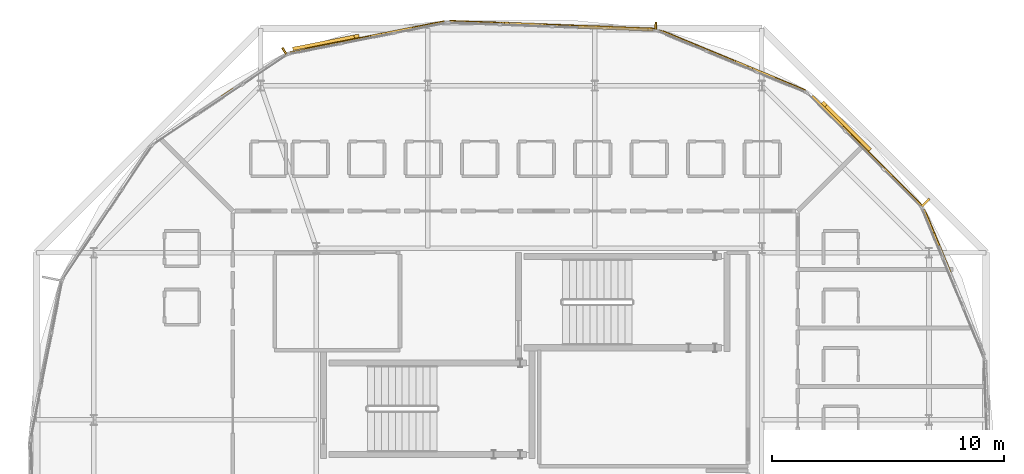
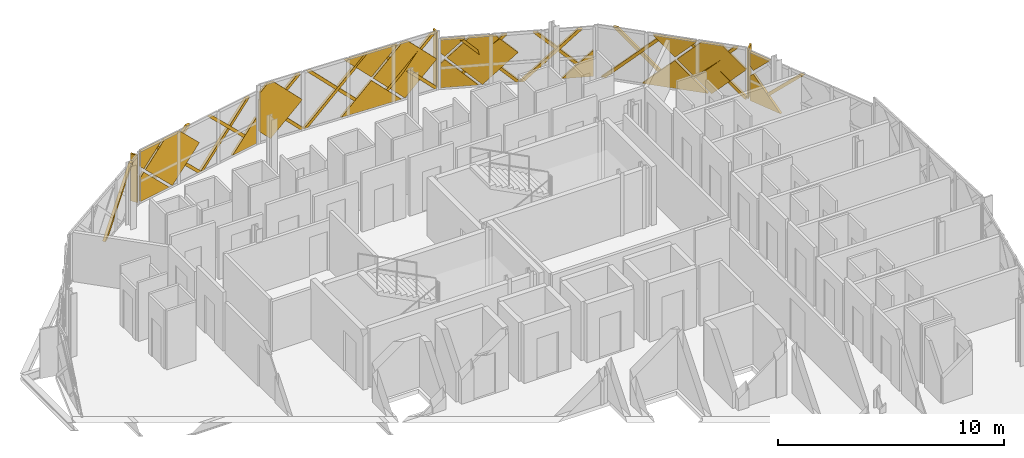
# One storey, part 24 of 24: 37 coverings, 3 shading devices.
"""IFC4 building model written with IfcOpenShell, lengths in metres."""

from ifc_helpers import new_model, si_unit, direction, frame, origin, origin_2d, place, context, subcontext, project, spatial, polyline, rectangle, outline, extrude, material, layer, layer_set, type_object, element, save


model = new_model("IFC4")

# Units and contexts
model_context = context("Model", 3, precision=1e-05, world=origin(), true_north=direction((0.0, 1.0)))
body_context = subcontext(model_context, "Body", "Model", "MODEL_VIEW")
ifc_project = project(units=[si_unit("LENGTHUNIT", "METRE"), si_unit("AREAUNIT", "SQUARE_METRE"), si_unit("VOLUMEUNIT", "CUBIC_METRE"), si_unit("PLANEANGLEUNIT", "RADIAN"), si_unit("MASSUNIT", "GRAM", prefix="KILO")], contexts=[model_context])

# Site, building, storey
site_placement = place(None, origin())
site = spatial("IfcSite", under=ifc_project, at=site_placement, CompositionType="ELEMENT")
building_placement = place(site_placement, origin())
building = spatial("IfcBuilding", under=site, at=building_placement, Name="Zevrakil Square Congress Hotel", CompositionType="ELEMENT")
storey_placement = place(building_placement, frame((0.0, 0.0, 31.699951171875)))
storey = spatial("IfcBuildingStorey", under=building, at=storey_placement, Name="L09", CompositionType="ELEMENT", Elevation=31.699951171875)

# Coverings
ifc_material_1 = material(Name="Architectural White Fibre-C GRC", Category="concrete")
ifc_layer_1 = layer(ifc_material_1, 0.06494140625)
ifc_layer_set_1 = layer_set([ifc_layer_1], Name="Architectural White Fibre-C GRC")
covering_type_1 = type_object("IfcCoveringType", Name="COV-DIA-WHITE", PredefinedType="CLADDING", material=ifc_layer_set_1)
covering_1_placement = place(storey_placement, frame((163.085205078125, 40.107421875, 1.590087890625), z_axis=(0.923914550265, 0.382598517584, 0.000527399499), x_axis=(-0.269933528089, 0.652822183014, -0.707784633754)))
element("IfcCovering", 1, at=covering_1_placement, inside=storey, type_object=covering_type_1, Name="L09 45-degree white GRC diamond facade cassette 2974", PredefinedType="CLADDING", context=body_context, shape_type="SweptSolid", body=[
    extrude(outline(polyline([(0.0, 0.0), (0.26249658249717267, 0.0), (1.1999452228271443, -0.9352784707125635), (0.0018748887831321337, -2.13564950196164), (0.0, 0.0)])), origin(), (0.0, 0.0, -1.0), 0.1201171875),
])
covering_2_placement = place(storey_placement, frame((163.085205078125, 40.107177734375, 1.77001953125), z_axis=(0.923909876479, 0.382609882436, 0.00046691299), x_axis=(0.270210589034, -0.653355905922, 0.707186183243)))
element("IfcCovering", 2, at=covering_2_placement, inside=storey, type_object=covering_type_1, Name="L09 45-degree white GRC diamond facade cassette 2976", PredefinedType="CLADDING", context=body_context, shape_type="SweptSolid", body=[
    extrude(outline(polyline([(0.0, 0.0), (1.279761072543764, -1.1102230246251565e-16), (0.5085591496174859, -0.7713752462851787), (-1.0255960199379022e-05, -0.26278807344881566), (0.0, 0.0)])), origin(), (0.0, 0.0, -1.0), 0.1201171875),
])
covering_3_placement = place(storey_placement, frame((160.57958984375, 42.777587890625, 1.590087890625), z_axis=(0.707106614827, 0.707106614827, 0.000685956296), x_axis=(-0.499688110054, 0.500374023726, -0.70706267689)))
element("IfcCovering", 3, at=covering_3_placement, inside=storey, type_object=covering_type_1, Name="L09 45-degree white GRC diamond facade cassette 2981", PredefinedType="CLADDING", context=body_context, shape_type="SweptSolid", body=[
    extrude(outline(polyline([(0.0, 0.0), (2.1356094940087047, 0.0), (-2.1239432958841675e-05, -2.1353653520635065), (0.0, 0.0)])), origin(), (0.0, 0.0, -1.0), 0.1201171875),
])
covering_4_placement = place(storey_placement, frame((160.643310546875, 42.714111328125, 1.679931640625), z_axis=(0.707127179859, 0.707086117562, 0.000611437355), x_axis=(0.500335685151, -0.499753340242, -0.707043705213)))
element("IfcCovering", 4, at=covering_4_placement, inside=storey, type_object=covering_type_1, Name="L09 45-degree white GRC diamond facade cassette 2982", PredefinedType="CLADDING", context=body_context, shape_type="SweptSolid", body=[
    extrude(outline(polyline([(0.0, 0.0), (2.248579118812823, 0.0), (2.2486813583199776, -2.2344716966835585), (2.2346992928604363, -2.2484562515085855), (0.7001314448411459, -2.248736907209545), (-4.192728643492849e-06, -1.5487260736455428), (0.0, 0.0)])), origin(), (0.0, 0.0, -1.0), 0.1201171875),
])
covering_5_placement = place(storey_placement, frame((160.57958984375, 42.777587890625, 1.77001953125), z_axis=(0.707106614315, 0.707106614315, 0.000687011527), x_axis=(0.499642803716, -0.500329834041, 0.707125961808)))
element("IfcCovering", 5, at=covering_5_placement, inside=storey, type_object=covering_type_1, Name="L09 45-degree white GRC diamond facade cassette 2983", PredefinedType="CLADDING", context=body_context, shape_type="SweptSolid", body=[
    extrude(outline(polyline([(0.0, 0.0), (1.4214256121425948, -1.1102230246251565e-16), (7.778572097882908e-05, -1.4214256100142322), (0.0, 0.0)])), origin(), (0.0, 0.0, -1.0), 0.1201171875),
])
covering_6_placement = place(storey_placement, frame((156.57666015625, 45.95458984375, 0.080078125), z_axis=(0.382708598301, 0.923868946577, 0.000546201807), x_axis=(0.923869084389, -0.382708655389, 0.0)))
element("IfcCovering", 6, at=covering_6_placement, inside=storey, type_object=covering_type_1, Name="L09 45-degree white GRC diamond facade cassette 2988", PredefinedType="CLADDING", context=body_context, shape_type="SweptSolid", body=[
    extrude(outline(polyline([(0.0, 0.0), (1.409821214264322, 0.0), (1.4098759644796002, -1.4099123196891088), (0.0, 0.0)])), origin(), (0.0, 0.0, -1.0), 0.1201171875),
])
covering_7_placement = place(storey_placement, frame((151.7626953125, 47.947509765625, 1.590087890625), z_axis=(0.382755461672, 0.923849441277, 0.000682943661), x_axis=(-0.652777584604, 0.270971988121, -0.707428870412)))
element("IfcCovering", 7, at=covering_7_placement, inside=storey, type_object=covering_type_1, Name="L09 45-degree white GRC diamond facade cassette 2989", PredefinedType="CLADDING", context=body_context, shape_type="SweptSolid", body=[
    extrude(outline(polyline([(0.0, 0.0), (0.26262867561201897, 0.0), (1.199458346386803, -0.9358985221832297), (0.000943379387218668, -2.135506779851168), (0.0, 0.0)])), origin(), (0.0, 0.0, -1.0), 0.1201171875),
])
covering_8_placement = place(storey_placement, frame((151.845947265625, 47.9130859375, 1.679931640625), z_axis=(0.382690025502, 0.923876636867, 0.000551571751), x_axis=(0.653449106463, -0.270250850946, -0.707084678681)))
element("IfcCovering", 8, at=covering_8_placement, inside=storey, type_object=covering_type_1, Name="L09 45-degree white GRC diamond facade cassette 2990", PredefinedType="CLADDING", context=body_context, shape_type="SweptSolid", body=[
    extrude(outline(polyline([(0.0, 0.0), (2.248448856999703, 0.0), (2.2487321872903157, -2.248592342128082), (0.8415013984675563, -2.2487136757156505), (-8.859482431022858e-05, -1.4071761516160894), (0.0, 0.0)])), origin(), (0.0, 0.0, -1.0), 0.1201171875),
])
covering_9_placement = place(storey_placement, frame((151.7626953125, 47.947509765625, 1.77001953125), z_axis=(0.382594056834, 0.923916333398, 0.000629726371), x_axis=(0.653150962114, -0.270951970044, 0.707091826158)))
element("IfcCovering", 9, at=covering_9_placement, inside=storey, type_object=covering_type_1, Name="L09 45-degree white GRC diamond facade cassette 2991", PredefinedType="CLADDING", context=body_context, shape_type="SweptSolid", body=[
    extrude(outline(polyline([(0.0, 0.0), (1.279931895331282, 1.1102230246251565e-16), (0.5085610358634081, -0.7713384187014669), (8.683643249124406e-05, -0.26265600796275457), (0.0, 0.0)])), origin(), (0.0, 0.0, -1.0), 0.1201171875),
])
covering_10_placement = place(storey_placement, frame((148.10888671875, 48.1923828125, 1.590087890625), z_axis=(0.038237521919, 0.999268516793, 0.00056856242), x_axis=(-0.706554659988, 0.027439015922, -0.707126306153)))
element("IfcCovering", 10, at=covering_10_placement, inside=storey, type_object=covering_type_1, Name="L09 45-degree white GRC diamond facade cassette 2996", PredefinedType="CLADDING", context=body_context, shape_type="SweptSolid", body=[
    extrude(outline(polyline([(0.0, 0.0), (2.135417325709792, 0.0), (-7.675912860660716e-06, -2.135543625618043), (0.0, 0.0)])), origin(), (0.0, 0.0, -1.0), 0.1201171875),
])
covering_11_placement = place(storey_placement, frame((148.19873046875, 48.18896484375, 1.679931640625), z_axis=(0.038221940175, 0.999269038727, 0.000686680612), x_axis=(0.706641602804, -0.026543081283, -0.707073624188)))
element("IfcCovering", 11, at=covering_11_placement, inside=storey, type_object=covering_type_1, Name="L09 45-degree white GRC diamond facade cassette 2997", PredefinedType="CLADDING", context=body_context, shape_type="SweptSolid", body=[
    extrude(outline(polyline([(0.0, 0.0), (2.2484838981142943, -4.440892098500626e-16), (2.248565212321282, -2.234545310867736), (2.2345890354467834, -2.2485359892915566), (0.25464349727705204, -2.248789246452919), (-1.3762265231198612e-05, -1.994155837587941), (0.0, 0.0)])), origin(), (0.0, 0.0, -1.0), 0.1201171875),
])
covering_12_placement = place(storey_placement, frame((143.072509765625, 48.3857421875, 0.090087890625), z_axis=(0.03820321819, 0.999269828578, 0.000569046922), x_axis=(0.706622711706, -0.027417631027, 0.70705913247)))
element("IfcCovering", 12, at=covering_12_placement, inside=storey, type_object=covering_type_1, Name="L09 45-degree white GRC diamond facade cassette 2998", PredefinedType="CLADDING", context=body_context, shape_type="SweptSolid", body=[
    extrude(outline(polyline([(0.0, 0.0), (2.2485300101196843, 0.0), (2.248555462745801, -1.9941029913582495), (1.9938930446811343, -2.248731243482883), (1.4997994207449599, -2.2487144201188802), (-0.0001453766642802723, -0.7486339086522975), (0.0, 0.0)])), origin(), (0.0, 0.0, -1.0), 0.1201171875),
])
covering_13_placement = place(storey_placement, frame((148.10888671875, 48.1923828125, 1.77001953125), z_axis=(0.038195145411, 0.999270087558, 0.000650368574), x_axis=(0.706512985946, -0.027465332664, 0.707166922438)))
element("IfcCovering", 13, at=covering_13_placement, inside=storey, type_object=covering_type_1, Name="L09 45-degree white GRC diamond facade cassette 2999", PredefinedType="CLADDING", context=body_context, shape_type="SweptSolid", body=[
    extrude(outline(polyline([(0.0, 0.0), (1.86669980946421, 0.0), (0.00019199805304381812, -1.8668261442751484), (0.0, 0.0)])), origin(), (0.0, 0.0, -1.0), 0.1201171875),
])
covering_14_placement = place(storey_placement, frame((140.9404296875, 48.113525390625, 0.080078125), z_axis=(-0.195117162998, 0.980779705753, 0.000679327935), x_axis=(0.980779932061, 0.19511720802, 0.0)))
element("IfcCovering", 14, at=covering_14_placement, inside=storey, type_object=covering_type_1, Name="L09 45-degree white GRC diamond facade cassette 3006", PredefinedType="CLADDING", context=body_context, shape_type="SweptSolid", body=[
    extrude(outline(polyline([(0.0, 0.0), (1.4101600118571058, 0.0), (1.4099694677086487, -1.409912434702775), (0.0, 0.0)])), origin(), (0.0, 0.0, -1.0), 0.1201171875),
])
covering_15_placement = place(storey_placement, frame((135.830810546875, 47.09619140625, 1.590087890625), z_axis=(-0.194971723674, 0.980808707154, 0.000554020218), x_axis=(-0.693313741013, -0.137421959843, -0.707411663372)))
element("IfcCovering", 15, at=covering_15_placement, inside=storey, type_object=covering_type_1, Name="L09 45-degree white GRC diamond facade cassette 3007", PredefinedType="CLADDING", context=body_context, shape_type="SweptSolid", body=[
    extrude(outline(polyline([(0.0, 0.0), (0.2626350963669683, 0.0), (1.1995050504566527, -0.9358580245393657), (0.0010040838133364982, -2.135393702826999), (0.0, 0.0)])), origin(), (0.0, 0.0, -1.0), 0.1201171875),
])
covering_16_placement = place(storey_placement, frame((135.9189453125, 47.11376953125, 1.679931640625), z_axis=(-0.195068359143, 0.980789515954, 0.000510545315), x_axis=(0.693496228751, 0.138296909274, -0.707062193582)))
element("IfcCovering", 16, at=covering_16_placement, inside=storey, type_object=covering_type_1, Name="L09 45-degree white GRC diamond facade cassette 3008", PredefinedType="CLADDING", context=body_context, shape_type="SweptSolid", body=[
    extrude(outline(polyline([(0.0, 0.0), (2.2485204297010704, 0.0), (2.248906314694512, -2.2486233129811817), (0.7001130285326225, -2.2487953201403617), (5.752145774884365e-05, -1.5488279113505208), (0.0, 0.0)])), origin(), (0.0, 0.0, -1.0), 0.1201171875),
])
covering_17_placement = place(storey_placement, frame((135.830810546875, 47.09619140625, 1.77001953125), z_axis=(-0.19500837927, 0.980801369063, 0.000637540878), x_axis=(0.693575766733, 0.137440926067, 0.707151078372)))
element("IfcCovering", 17, at=covering_17_placement, inside=storey, type_object=covering_type_1, Name="L09 45-degree white GRC diamond facade cassette 3009", PredefinedType="CLADDING", context=body_context, shape_type="SweptSolid", body=[
    extrude(outline(polyline([(0.0, 0.0), (1.4213751651803395, 1.1102230246251565e-16), (0.5793896210541527, -0.8420913506920826), (6.243912941575336e-05, -0.2627023351830362), (0.0, 0.0)])), origin(), (0.0, 0.0, -1.0), 0.1201171875),
])
ifc_material_2 = material(Name="Anodised Champagne Aluminium", Category="aluminium")
ifc_layer_2 = layer(ifc_material_2, 0.0849609375)
ifc_layer_set_2 = layer_set([ifc_layer_2], Name="Anodised Champagne Aluminium")
covering_type_2 = type_object("IfcCoveringType", Name="COV-DIAGRID-45", PredefinedType="MOLDING", material=ifc_layer_set_2)
covering_18_placement = place(storey_placement, frame((164.172119140625, 37.547119140625, 2.675048828125), z_axis=(0.923721793586, 0.383062711412, 0.001003583466), x_axis=(-0.383062904319, 0.923722258763, 0.0)))
element("IfcCovering", 18, at=covering_18_placement, inside=storey, type_object=covering_type_2, Name="L09 45-degree aluminium diagrid rib 2980", PredefinedType="MOLDING", context=body_context, shape_type="SweptSolid", body=[
    extrude(outline(polyline([(0.0, 0.0), (0.21223362327273487, 0.0), (2.8073813930909104, -2.594972009926989), (2.5951477698181753, -2.594972009926989), (0.0, 0.0)])), origin(), (0.0, 0.0, -1.0), 0.14501953125),
])
covering_19_placement = place(storey_placement, frame((162.84228515625, 40.5517578125, 0.080078125), z_axis=(0.707566886913, 0.706645328013, 0.00121693983), x_axis=(0.706645849846, -0.707567412261, 1.645746e-06)))
element("IfcCovering", 19, at=covering_19_placement, inside=storey, type_object=covering_type_2, Name="L09 45-degree aluminium diagrid rib 2984", PredefinedType="MOLDING", context=body_context, shape_type="SweptSolid", body=[
    extrude(outline(polyline([(0.0, 0.0), (0.0861442064640443, 0.0), (0.0861444137894321, -0.125976469217769), (-2.482808787257637, -2.695074519569295), (-2.694975415759961, -2.6950748269071103), (0.0, 0.0)])), origin(), (0.0, 0.0, -1.0), 0.14501953125),
])
covering_20_placement = place(storey_placement, frame((160.46630859375, 42.927490234375, 0.080078125), z_axis=(-0.70653117611, -0.707681878351, 0.000237145357), x_axis=(0.70768189825, -0.706531195977, 0.0)))
element("IfcCovering", 20, at=covering_20_placement, inside=storey, type_object=covering_type_2, Name="L09 45-degree aluminium diagrid rib 2985", PredefinedType="MOLDING", context=body_context, shape_type="SweptSolid", body=[
    extrude(outline(polyline([(0.0, 0.0), (0.21216663128756907, 3.3881317890172014e-21), (-2.482815176610945, 2.6950684351575234), (-2.694981807898514, 2.6950684351575234), (0.0, 0.0)])), origin(), (0.0, 0.0, -1.0), 0.14501953125),
])
covering_21_placement = place(storey_placement, frame((162.634033203125, 40.757568359375, 2.775146484375), z_axis=(0.707394266951, 0.706819149661, 0.000201882372), x_axis=(-0.706819164077, 0.707394281355, 8.2099e-08)))
element("IfcCovering", 21, at=covering_21_placement, inside=storey, type_object=covering_type_2, Name="L09 45-degree aluminium diagrid rib 2986", PredefinedType="MOLDING", context=body_context, shape_type="SweptSolid", body=[
    extrude(outline(polyline([(0.0, 0.0), (0.2123391769874417, 0.0), (2.907148237262497, -2.6950686529708396), (2.694981623547535, -2.695068618119178), (0.0, 0.0)])), origin(), (0.0, 0.0, -1.0), 0.14501953125),
])
covering_22_placement = place(storey_placement, frame((160.258056640625, 43.133544921875, 2.775146484375), z_axis=(0.707106663683, 0.707106663683, 0.000576497869), x_axis=(-0.707106781187, 0.707106781187, 0.0)))
element("IfcCovering", 22, at=covering_22_placement, inside=storey, type_object=covering_type_2, Name="L09 45-degree aluminium diagrid rib 2987", PredefinedType="MOLDING", context=body_context, shape_type="SweptSolid", body=[
    extrude(outline(polyline([(0.0, 0.0), (0.21199392756276378, 0.0), (2.906975363378973, -2.6950688072278175), (2.694981435816209, -2.6950688072278175), (0.0, 0.0)])), origin(), (0.0, 0.0, -1.0), 0.14501953125),
])
covering_23_placement = place(storey_placement, frame((157.809326171875, 45.470947265625, 0.080078125), z_axis=(0.382209928103, 0.924075520035, 6.4268508e-05), x_axis=(0.924075521943, -0.382209928894, 2.7277e-08)))
element("IfcCovering", 23, at=covering_23_placement, inside=storey, type_object=covering_type_2, Name="L09 45-degree aluminium diagrid rib 2992", PredefinedType="MOLDING", context=body_context, shape_type="SweptSolid", body=[
    extrude(outline(polyline([(0.0, 0.0), (0.08614427747905677, -4.235164736271502e-22), (0.0861442809153759, -0.1259765622398306), (-2.383008777532101, -2.594970774251529), (-2.595148997383982, -2.594970781944569), (0.0, 0.0)])), origin(), (0.0, 0.0, -1.0), 0.14501953125),
])
covering_24_placement = place(storey_placement, frame((154.705078125, 46.7568359375, 0.080078125), z_axis=(0.382571920528, 0.923925570479, 0.000515596091), x_axis=(0.92392569334, -0.382571971249, -2.74116e-07)))
element("IfcCovering", 24, at=covering_24_placement, inside=storey, type_object=covering_type_2, Name="L09 45-degree aluminium diagrid rib 2993", PredefinedType="MOLDING", context=body_context, shape_type="SweptSolid", body=[
    extrude(outline(polyline([(0.0, 0.0), (0.21214019194507489, 6.776263578034403e-21), (-2.3829159053448485, -2.5949703948533673), (-2.5951494986500916, -2.594970278525891), (0.0, 0.0)])), origin(), (0.0, 0.0, -1.0), 0.14501953125),
])
covering_25_placement = place(storey_placement, frame((157.44580078125, 45.619873046875, 2.675048828125), z_axis=(0.382571875638, 0.923925462068, 0.000707469632), x_axis=(-0.923925693185, 0.382571971625, -3.75959e-07)))
element("IfcCovering", 25, at=covering_25_placement, inside=storey, type_object=covering_type_2, Name="L09 45-degree aluminium diagrid rib 2994", PredefinedType="MOLDING", context=body_context, shape_type="SweptSolid", body=[
    extrude(outline(polyline([(0.0, 0.0), (0.212233593305282, -6.776263578034403e-21), (2.807282932217842, -2.5949702971100863), (2.5951427402728195, -2.594970456657337), (0.0, 0.0)])), origin(), (0.0, 0.0, -1.0), 0.14501953125),
])
covering_26_placement = place(storey_placement, frame((154.341552734375, 46.90576171875, 2.675048828125), z_axis=(0.382283766922, 0.924044346249, 0.001080608229), x_axis=(-0.924044885857, 0.382283989883, 2.37707e-07)))
element("IfcCovering", 26, at=covering_26_placement, inside=storey, type_object=covering_type_2, Name="L09 45-degree aluminium diagrid rib 2995", PredefinedType="MOLDING", context=body_context, shape_type="SweptSolid", body=[
    extrude(outline(polyline([(0.0, 0.0), (0.21214021679311237, 1.3552527156068805e-20), (2.807055034337458, -2.594972885474195), (2.5951404144403067, -2.594972784673518), (0.0, 0.0)])), origin(), (0.0, 0.0, -1.0), 0.14501953125),
])
covering_27_placement = place(storey_placement, frame((151.281494140625, 48.096923828125, 0.080078125), z_axis=(0.038234256191, 0.999268620882, 0.000604131577), x_axis=(0.999268803254, -0.038234262683, -8.02616e-07)))
element("IfcCovering", 27, at=covering_27_placement, inside=storey, type_object=covering_type_2, Name="L09 45-degree aluminium diagrid rib 3000", PredefinedType="MOLDING", context=body_context, shape_type="SweptSolid", body=[
    extrude(outline(polyline([(0.0, 0.0), (0.08599601175787229, 0.0), (0.08600524518388686, -0.12597668690351824), (-2.79787968689683, -3.0100080288186426), (-3.009946838237872, -3.0100078898005216), (0.0, 0.0)])), origin(), (0.0, 0.0, -1.0), 0.14501953125),
])
covering_28_placement = place(storey_placement, frame((147.923828125, 48.225341796875, 0.080078125), z_axis=(0.03796914478, 0.999278855797, 0.000335263133), x_axis=(0.999278911957, -0.037969146911, -7.319e-09)))
element("IfcCovering", 28, at=covering_28_placement, inside=storey, type_object=covering_type_2, Name="L09 45-degree aluminium diagrid rib 3001", PredefinedType="MOLDING", context=body_context, shape_type="SweptSolid", body=[
    extrude(outline(polyline([(0.0, 0.0), (0.21231112215309592, 4.235164736271502e-22), (-2.797877659250898, -3.0100099143118526), (-3.0099448168258793, -3.0100099112058123), (0.0, 0.0)])), origin(), (0.0, 0.0, -1.0), 0.14501953125),
])
covering_29_placement = place(storey_placement, frame((144.56640625, 48.353759765625, 0.080078125), z_axis=(0.037769477074, 0.99928645418, 0.000221572944), x_axis=(0.999286478709, -0.037769478012, 4.9116e-08)))
element("IfcCovering", 29, at=covering_29_placement, inside=storey, type_object=covering_type_2, Name="L09 45-degree aluminium diagrid rib 3002", PredefinedType="MOLDING", context=body_context, shape_type="SweptSolid", body=[
    extrude(outline(polyline([(0.0, 0.0), (0.2120671524154874, 4.235164736271502e-22), (-2.0233975768132497, -2.2353517167523016), (-2.023397587233537, -2.0231935188352095), (0.0, 0.0)])), origin(), (0.0, 0.0, -1.0), 0.14501953125),
])
covering_30_placement = place(storey_placement, frame((151.303466796875, 48.09423828125, 3.090087890625), z_axis=(0.037969132092, 0.99927852188, 0.000883582543), x_axis=(-0.999278911957, 0.037969146931, -1.9311e-08)))
element("IfcCovering", 30, at=covering_30_placement, inside=storey, type_object=covering_type_2, Name="L09 45-degree aluminium diagrid rib 3003", PredefinedType="MOLDING", context=body_context, shape_type="SweptSolid", body=[
    extrude(outline(polyline([(0.0, 0.0), (0.21206715757498137, 0.0), (3.2221510576669985, -3.010010878385887), (3.0098399355139027, -3.010010886581242), (0.0, 0.0)])), origin(), (0.0, 0.0, -1.0), 0.14501953125),
])
covering_31_placement = place(storey_placement, frame((147.946044921875, 48.22265625, 3.090087890625), z_axis=(0.037969132092, 0.99927852188, 0.000883582543), x_axis=(-0.999278911958, 0.037969146897, 1.9289e-08)))
element("IfcCovering", 31, at=covering_31_placement, inside=storey, type_object=covering_type_2, Name="L09 45-degree aluminium diagrid rib 3004", PredefinedType="MOLDING", context=body_context, shape_type="SweptSolid", body=[
    extrude(outline(polyline([(0.0, 0.0), (0.21231112215309594, -8.470329472543003e-22), (3.2221509414785143, -3.010011002763122), (3.0100837839035335, -3.010010994577185), (0.0, 0.0)])), origin(), (0.0, 0.0, -1.0), 0.14501953125),
])
covering_32_placement = place(storey_placement, frame((144.58837890625, 48.35107421875, 3.090087890625), z_axis=(0.038413014907, 0.999261858813, 0.000421673101), x_axis=(-0.999261947654, 0.038413018247, 1.78089e-07)))
element("IfcCovering", 32, at=covering_32_placement, inside=storey, type_object=covering_type_2, Name="L09 45-degree aluminium diagrid rib 3005", PredefinedType="MOLDING", context=body_context, shape_type="SweptSolid", body=[
    extrude(outline(polyline([(0.0, 0.0), (0.21206713871234417, -1.6940658945086007e-21), (2.0454843553263506, -1.8332524803874926), (2.045484317499775, -2.0456548052540486), (0.0, 0.0)])), origin(), (0.0, 0.0, -1.0), 0.14501953125),
])
covering_33_placement = place(storey_placement, frame((142.234130859375, 48.396240234375, 0.080078125), z_axis=(-0.195653504632, 0.980673087986, 2.5006751e-05), x_axis=(0.980673088293, 0.195653504693, 2.103e-09)))
element("IfcCovering", 33, at=covering_33_placement, inside=storey, type_object=covering_type_2, Name="L09 45-degree aluminium diagrid rib 3010", PredefinedType="MOLDING", context=body_context, shape_type="SweptSolid", body=[
    extrude(outline(polyline([(0.0, 0.0), (0.0861359815363908, 0.0), (0.08613598180130982, -0.12597656246061106), (-2.4828132716472178, -2.695068365505949), (-2.6949213202368436, -2.6950683660596852), (0.0, 0.0)])), origin(), (0.0, 0.0, -1.0), 0.14501953125),
])
covering_34_placement = place(storey_placement, frame((138.938720703125, 47.740966796875, 0.080078125), z_axis=(-0.195119809797, 0.980779220924, 0.000616139665), x_axis=(0.980779407132, 0.195119846623, 3.47857e-07)))
element("IfcCovering", 34, at=covering_34_placement, inside=storey, type_object=covering_type_2, Name="L09 45-degree aluminium diagrid rib 3011", PredefinedType="MOLDING", context=body_context, shape_type="SweptSolid", body=[
    extrude(outline(polyline([(0.0, 0.0), (0.212060378162972, 0.0), (-2.4828595707900565, -2.695069734617778), (-2.694967585634333, -2.695069882167819), (0.0, 0.0)])), origin(), (0.0, 0.0, -1.0), 0.14501953125),
])
covering_35_placement = place(storey_placement, frame((141.947265625, 48.337646484375, 2.775146484375), z_axis=(-0.195009729736, 0.980801148082, 0.000559668843), x_axis=(-0.980801301662, -0.195009760416, 2.52814e-07)))
element("IfcCovering", 35, at=covering_35_placement, inside=storey, type_object=covering_type_2, Name="L09 45-degree aluminium diagrid rib 3012", PredefinedType="MOLDING", context=body_context, shape_type="SweptSolid", body=[
    extrude(outline(polyline([(0.0, 0.0), (0.21234745351285353, -3.3881317890172014e-21), (2.907079838311356, -2.6950695164133465), (2.69501944804608, -2.6950694091170133), (0.0, 0.0)])), origin(), (0.0, 0.0, -1.0), 0.14501953125),
])
covering_36_placement = place(storey_placement, frame((138.651611328125, 47.68212890625, 2.775146484375), z_axis=(0.194456293044, -0.980911182368, 4.8989547e-05), x_axis=(-0.980911183545, -0.194456293278, -5.484e-09)))
element("IfcCovering", 36, at=covering_36_placement, inside=storey, type_object=covering_type_2, Name="L09 45-degree aluminium diagrid rib 3013", PredefinedType="MOLDING", context=body_context, shape_type="SweptSolid", body=[
    extrude(outline(polyline([(0.0, 0.0), (0.21206041063103637, 0.0), (2.9070809227484964, 2.6950683466674095), (2.6947810318480396, 2.6950683489944858), (0.0, 0.0)])), origin(), (0.0, 0.0, -1.0), 0.14501953125),
])
covering_37_placement = place(storey_placement, frame((135.021728515625, 46.72509765625, 2.675048828125), z_axis=(-0.556027439818, 0.831163170909, 0.001126718137), x_axis=(-0.831163698488, -0.556027792755, 0.0)))
element("IfcCovering", 37, at=covering_37_placement, inside=storey, type_object=covering_type_2, Name="L09 45-degree aluminium diagrid rib 3019", PredefinedType="MOLDING", context=body_context, shape_type="SweptSolid", body=[
    extrude(outline(polyline([(0.0, 0.0), (0.2120755894064681, 1.3552527156068805e-20), (2.807017541453729, -2.594972350276125), (2.594941952047261, -2.594972350276125), (0.0, 0.0)])), origin(), (0.0, 0.0, -1.0), 0.14501953125),
])

# Shading devices
ifc_material_3 = material(Name="Aluminium Anodised Bronze", Category="aluminium")
shading_device_type_1 = type_object("IfcShadingDeviceType", Name="SHD-FIN-35", PredefinedType="JALOUSIE", material=ifc_material_3)
shading_device_1_placement = place(storey_placement, frame((151.430419921875, 48.16650390625, 0.10009765625), z_axis=(0.0, 0.0, 1.0), x_axis=(0.038213404224, 0.999269601128, 0.0)))
element("IfcShadingDevice", 38, at=shading_device_1_placement, inside=storey, type_object=shading_device_type_1, Name="L09 aluminium solar shading fin 167", PredefinedType="JALOUSIE", context=body_context, shape_type="SweptSolid", body=[
    extrude(rectangle(XDim=0.35009765625, YDim=0.080078125, at=origin_2d()), origin(), (0.0, 0.0, 1.0), 2.969970703125),
])
shading_device_2_placement = place(storey_placement, frame((135.42724609375, 47.088134765625, 0.10009765625), z_axis=(0.0, 0.0, 1.0), x_axis=(-0.55557023302, 0.831469612303, 0.0)))
element("IfcShadingDevice", 39, at=shading_device_2_placement, inside=storey, type_object=shading_device_type_1, Name="L09 aluminium solar shading fin 168", PredefinedType="JALOUSIE", context=body_context, shape_type="SweptSolid", body=[
    extrude(rectangle(XDim=0.35009765625, YDim=0.080078125, at=origin_2d()), origin(), (0.0, 0.0, 1.0), 2.554931640625),
])
ifc_material_4 = material(Name="Aluminium Anodised Bronze", Category="aluminium")
shading_device_type_2 = type_object("IfcShadingDeviceType", Name="SHD-FIN-50", PredefinedType="JALOUSIE", material=ifc_material_4)
shading_device_3_placement = place(storey_placement, frame((163.051513671875, 40.554443359375, 0.10009765625), z_axis=(0.0, 0.0, 1.0), x_axis=(0.707106781187, 0.707106781187, 0.0)))
element("IfcShadingDevice", 40, at=shading_device_3_placement, inside=storey, type_object=shading_device_type_2, Name="L09 aluminium solar shading fin 166", PredefinedType="JALOUSIE", context=body_context, shape_type="SweptSolid", body=[
    extrude(rectangle(XDim=0.5, YDim=0.080078125, at=origin_2d()), origin(), (0.0, 0.0, 1.0), 2.655029296875),
])

save(model, "model.ifc")
